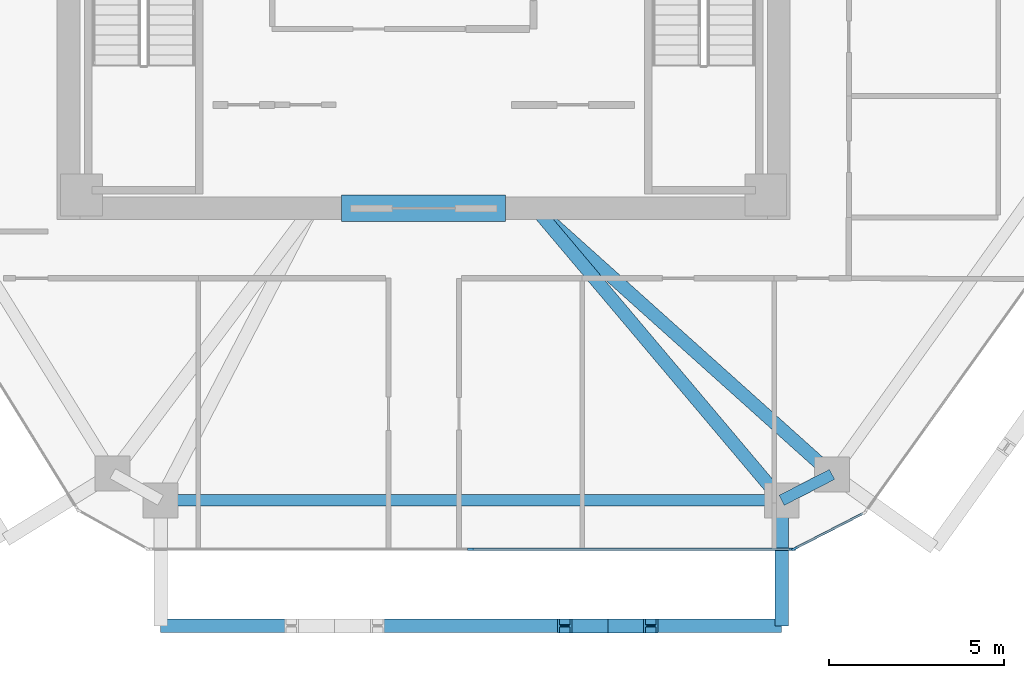
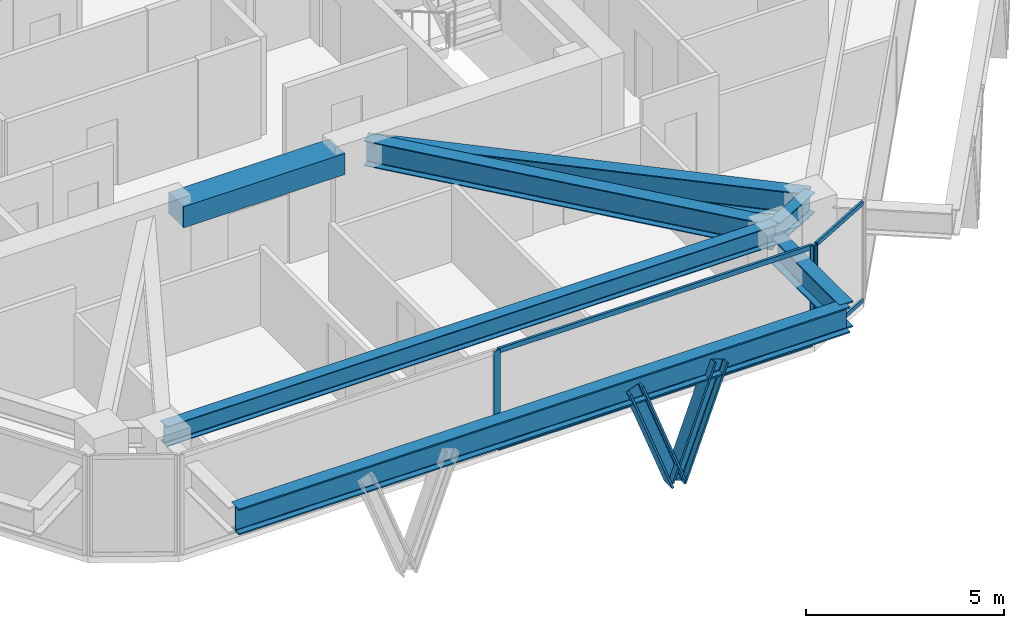
# One storey, part 3 of 11: 9 members, 7 beams, 2 elements without a shape of their own.
"""IFC4 building model written with IfcOpenShell, lengths in metres."""

from ifc_helpers import new_model, si_unit, direction, frame, origin, origin_2d, place, context, subcontext, project, spatial, rectangle, i_section, extrude, source, transform, mapped, material, layer, layer_set, material_profile, profile_set, type_object, type_shapes, element, aggregate, save


model = new_model("IFC4")

# Units and contexts
model_context = context("Model", 3, precision=1e-05, world=origin(), true_north=direction((0.0, 1.0)))
body_context = subcontext(model_context, "Body", "Model", "MODEL_VIEW")
ifc_project = project(units=[si_unit("LENGTHUNIT", "METRE"), si_unit("AREAUNIT", "SQUARE_METRE"), si_unit("VOLUMEUNIT", "CUBIC_METRE"), si_unit("PLANEANGLEUNIT", "RADIAN"), si_unit("MASSUNIT", "GRAM", prefix="KILO")], contexts=[model_context])

# Site, building, storey
site_placement = place(None, origin())
site = spatial("IfcSite", under=ifc_project, at=site_placement, CompositionType="ELEMENT")
building_placement = place(site_placement, origin())
building = spatial("IfcBuilding", under=site, at=building_placement, Name="Durnholm Broadcast Tower", CompositionType="ELEMENT")
storey_placement = place(building_placement, frame((0.0, 0.0, 177.10009765625)))
storey = spatial("IfcBuildingStorey", under=building, at=storey_placement, Name="L48", CompositionType="ELEMENT", Elevation=177.10009765625)

# Beams
ifc_material_1 = material(Name="Concrete C70/85", Category="concrete")
ifc_material_profile_1 = material_profile(ifc_material_1, rectangle(XDim=0.75, YDim=0.64990234375, at=origin_2d()), Name="RC750X650")
ifc_profile_set_1 = profile_set([ifc_material_profile_1], Name="Concrete C70/85")
beam_type_1 = type_object("IfcBeamType", Name="BM-CB-RC650", PredefinedType="LINTEL", material=ifc_profile_set_1)
shared_shape_1 = source(origin(), body_context, "Body", "SweptSolid", [
    extrude(rectangle(XDim=0.75, YDim=0.64990234375, at=origin_2d()), origin(), (0.0, 0.0, 1.0), 4.7001953125),
])
type_shapes(beam_type_1, [shared_shape_1])
beam_1_placement = place(storey_placement, frame((-2.35009765625, -8.175048828125, 2.72998046875), z_axis=(1.0, 0.0, 0.0), x_axis=(0.0, 1.0, 0.0)))
element("IfcBeam", 1, at=beam_1_placement, inside=storey, type_object=beam_type_1, Name="L48 south core coupling lintel beam CB-S", PredefinedType="LINTEL", context=body_context, shape_type="MappedRepresentation", body=[
    mapped(shared_shape_1, transform((0.0, 0.0, 0.0), x_axis=(1.0, 0.0, 0.0), y_axis=(0.0, 1.0, 0.0), z_axis=(0.0, 0.0, 1.0), scale=1.0)),
])
ifc_material_2 = material(Name="Steel ASTM A992 Grade 50", Category="steel")
ifc_material_profile_2 = material_profile(ifc_material_2, i_section(OverallWidth=0.385009765625, OverallDepth=0.802978515625, WebThickness=0.023681640625, FlangeThickness=0.0419921875, FilletRadius=0.032958984375, at=origin_2d()), Name="W30X261")
ifc_profile_set_2 = profile_set([ifc_material_profile_2], Name="Steel ASTM A992 Grade 50")
beam_type_2 = type_object("IfcBeamType", Name="BM-EXO-TIE", PredefinedType="USERDEFINED", material=ifc_profile_set_2)
shared_shape_2 = source(origin(), body_context, "Body", "SweptSolid", [
    extrude(i_section(OverallWidth=0.385009765625, OverallDepth=0.802978515625, WebThickness=0.023681640625, FlangeThickness=0.0419921875, FilletRadius=0.032958984375, at=origin_2d()), origin(), (0.0, 0.0, 1.0), 3.4560546875),
])
beam_2_placement = place(storey_placement, frame((10.256591796875, -16.68603515625, 2.308349609375), z_axis=(0.0, -1.0, 0.0), x_axis=(1.0, 0.0, 0.0)))
element("IfcBeam", 2, at=beam_2_placement, inside=storey, type_object=beam_type_2, Name="L48 exoskeleton stand-off tie bracket F1.2", ObjectType="GIRDER", PredefinedType="USERDEFINED", context=body_context, shape_type="MappedRepresentation", body=[
    mapped(shared_shape_2, transform((0.0, 0.0, 0.0), x_axis=(1.0, 0.0, 0.0), y_axis=(0.0, 1.0, 0.0), z_axis=(0.0, 0.0, 1.0), scale=1.0)),
])
ifc_material_profile_3 = material_profile(ifc_material_2, i_section(OverallWidth=0.3251953125, OverallDepth=0.6162109375, WebThickness=0.013916015625, FlangeThickness=0.021484375, FilletRadius=0.02783203125, at=origin_2d()), Name="W24X117")
ifc_profile_set_3 = profile_set([ifc_material_profile_3], Name="Steel ASTM A992 Grade 50")
beam_type_3 = type_object("IfcBeamType", Name="STL-SP-W24X117", PredefinedType="SPANDREL", material=ifc_profile_set_3)
shared_shape_3 = source(origin(), body_context, "Body", "SweptSolid", [
    extrude(i_section(OverallWidth=0.3251953125, OverallDepth=0.6162109375, WebThickness=0.013916015625, FlangeThickness=0.021484375, FilletRadius=0.02783203125, at=origin_2d()), origin(), (0.0, 0.0, 1.0), 1.62255859375),
])
beam_3_placement = place(storey_placement, frame((11.69970703125, -15.80029296875, 2.73681640625), z_axis=(-0.889406668864, -0.45711680934, 0.0), x_axis=(0.45711680934, -0.889406668864, 0.0)))
element("IfcBeam", 3, at=beam_3_placement, inside=storey, type_object=beam_type_3, Name="L48 perimeter spandrel girder 10", PredefinedType="SPANDREL", context=body_context, shape_type="MappedRepresentation", body=[
    mapped(shared_shape_3, transform((0.0, 0.0, 0.0), x_axis=(1.0, 0.0, 0.0), y_axis=(0.0, 1.0, 0.0), z_axis=(0.0, 0.0, 1.0), scale=1.0)),
])
shared_shape_4 = source(origin(), body_context, "Body", "SweptSolid", [
    extrude(i_section(OverallWidth=0.3251953125, OverallDepth=0.6162109375, WebThickness=0.013916015625, FlangeThickness=0.021484375, FilletRadius=0.02783203125, at=origin_2d()), origin(), (0.0, 0.0, 1.0), 17.796142578125),
])
type_shapes(beam_type_3, [shared_shape_3, shared_shape_4])
beam_4_placement = place(storey_placement, frame((10.256591796875, -16.5419921875, 2.73681640625), z_axis=(-1.0, 0.0, 0.0), x_axis=(0.0, -1.0, 0.0)))
element("IfcBeam", 4, at=beam_4_placement, inside=storey, type_object=beam_type_3, Name="L48 perimeter spandrel girder 11", PredefinedType="SPANDREL", context=body_context, shape_type="MappedRepresentation", body=[
    mapped(shared_shape_4, transform((0.0, 0.0, 0.0), x_axis=(1.0, 0.0, 0.0), y_axis=(0.0, 1.0, 0.0), z_axis=(0.0, 0.0, 1.0), scale=1.0)),
])
shared_shape_5 = source(origin(), body_context, "Body", "SweptSolid", [
    extrude(i_section(OverallWidth=0.385009765625, OverallDepth=0.802978515625, WebThickness=0.023681640625, FlangeThickness=0.0419921875, FilletRadius=0.032958984375, at=origin_2d()), origin(), (0.0, 0.0, 1.0), 17.796142578125),
])
type_shapes(beam_type_2, [shared_shape_2, shared_shape_5])
beam_5_placement = place(storey_placement, frame((-7.53955078125, -20.14208984375, 2.308349609375), z_axis=(1.0, 0.0, 0.0), x_axis=(0.0, 1.0, 0.0)))
element("IfcBeam", 5, at=beam_5_placement, inside=storey, type_object=beam_type_2, Name="L48 exoskeleton collector spandrel F1", PredefinedType="SPANDREL", context=body_context, shape_type="MappedRepresentation", body=[
    mapped(shared_shape_5, transform((0.0, 0.0, 0.0), x_axis=(1.0, 0.0, 0.0), y_axis=(0.0, 1.0, 0.0), z_axis=(0.0, 0.0, 1.0), scale=1.0)),
])
ifc_material_profile_4 = material_profile(ifc_material_2, i_section(OverallWidth=0.380615234375, OverallDepth=0.773193359375, WebThickness=0.0166015625, FlangeThickness=0.027099609375, FilletRadius=0.032958984375, at=origin_2d()), Name="W30X173")
ifc_profile_set_4 = profile_set([ifc_material_profile_4], Name="Steel ASTM A992 Grade 50")
beam_type_4 = type_object("IfcBeamType", Name="STL-GR-W30X173", PredefinedType="USERDEFINED", material=ifc_profile_set_4)
shared_shape_6 = source(origin(), body_context, "Body", "SweptSolid", [
    extrude(i_section(OverallWidth=0.380615234375, OverallDepth=0.773193359375, WebThickness=0.0166015625, FlangeThickness=0.027099609375, FilletRadius=0.032958984375, at=origin_2d()), origin(), (0.0, 0.0, 1.0), 11.4189453125),
])
beam_6_placement = place(storey_placement, frame((3.199951171875, -8.175048828125, 2.658203125), z_axis=(0.744361631918, -0.667776729849, 0.0), x_axis=(0.667776729849, 0.744361631918, 0.0)))
element("IfcBeam", 6, at=beam_6_placement, inside=storey, type_object=beam_type_4, Name="L48 radial primary floor girder 10", ObjectType="GIRDER", PredefinedType="USERDEFINED", context=body_context, shape_type="MappedRepresentation", body=[
    mapped(shared_shape_6, transform((0.0, 0.0, 0.0), x_axis=(1.0, 0.0, 0.0), y_axis=(0.0, 1.0, 0.0), z_axis=(0.0, 0.0, 1.0), scale=1.0)),
])
shared_shape_7 = source(origin(), body_context, "Body", "SweptSolid", [
    extrude(i_section(OverallWidth=0.380615234375, OverallDepth=0.773193359375, WebThickness=0.0166015625, FlangeThickness=0.027099609375, FilletRadius=0.032958984375, at=origin_2d()), origin(), (0.0, 0.0, 1.0), 10.9453125),
])
type_shapes(beam_type_4, [shared_shape_6, shared_shape_7])
beam_7_placement = place(storey_placement, frame((3.199951171875, -8.175048828125, 2.658203125), z_axis=(0.644712536066, -0.764425108065, 0.0), x_axis=(0.764425108065, 0.644712536066, 0.0)))
element("IfcBeam", 7, at=beam_7_placement, inside=storey, type_object=beam_type_4, Name="L48 radial primary floor girder 11", ObjectType="GIRDER", PredefinedType="USERDEFINED", context=body_context, shape_type="MappedRepresentation", body=[
    mapped(shared_shape_7, transform((0.0, 0.0, 0.0), x_axis=(1.0, 0.0, 0.0), y_axis=(0.0, 1.0, 0.0), z_axis=(0.0, 0.0, 1.0), scale=1.0)),
])

# Members
ifc_material_3 = material(Name="Steel ASTM A913 Grade 65", Category="steel")
ifc_material_profile_5 = material_profile(ifc_material_3, i_section(OverallWidth=0.412109375, OverallDepth=0.434814453125, WebThickness=0.035888671875, FlangeThickness=0.057373046875, FilletRadius=0.030517578125, at=origin_2d()), Name="W14X311")
ifc_profile_set_5 = profile_set([ifc_material_profile_5], Name="Steel ASTM A913 Grade 65")
member_type_1 = type_object("IfcMemberType", Name="STL-DG-W14X311", PredefinedType="BRACE", material=ifc_profile_set_5)
shared_shape_8 = source(origin(), body_context, "Body", "SweptSolid", [
    extrude(i_section(OverallWidth=0.412109375, OverallDepth=0.434814453125, WebThickness=0.035888671875, FlangeThickness=0.057373046875, FilletRadius=0.030517578125, at=origin_2d()), origin(), (0.0, 0.0, 1.0), 3.52294921875),
])
type_shapes(member_type_1, [shared_shape_8])
for number, where, z_axis, x_axis, name in (
    (8, (5.273681640625, -20.14208984375, -0.991455078125), (-0.350242321485, 0.0, 0.93665912489), (0.0, -1.0, 0.0), "L48 stand-off diagrid brace F1.D2.1"),
    (9, (5.273681640625, -20.14208984375, -0.991455078125), (0.350242321485, 0.0, 0.93665912489), (0.0, 1.0, 0.0), "L48 stand-off diagrid brace F1.D2.2"),
):
    element("IfcMember", number, at=place(storey_placement, frame(where, z_axis=z_axis, x_axis=x_axis)), inside=storey, type_object=member_type_1, Name=name, PredefinedType="BRACE", context=body_context, shape_type="MappedRepresentation", body=[
        mapped(shared_shape_8, transform((0.0, 0.0, 0.0), x_axis=(1.0, 0.0, 0.0), y_axis=(0.0, 1.0, 0.0), z_axis=(0.0, 0.0, 1.0), scale=1.0)),
    ])

# Curtain wall, members
ifc_material_4 = material(Name="Aluminium and Solar Control IGU", Category="aluminium")
ifc_layer_1 = layer(ifc_material_4, 0.1650390625)
ifc_layer_set_1 = layer_set([ifc_layer_1], Name="Aluminium and Solar Control IGU")
curtain_wall_type_1 = type_object("IfcCurtainWallType", Name="CW-SYS-5", PredefinedType="NOTDEFINED", material=ifc_layer_set_1)
curtain_wall_1_placement = place(storey_placement, origin())
curtain_wall_1 = element("IfcCurtainWall", 10, at=curtain_wall_1_placement, inside=storey, type_object=curtain_wall_type_1, Name="L48 curtain wall CW-CORNER CW-L48-CRN-09", PredefinedType="NOTDEFINED")
ifc_material_5 = material(Name="Aluminium 6063-T6", Category="aluminium")
ifc_material_profile_6 = material_profile(ifc_material_5, rectangle(XDim=0.06494140625, YDim=0.1650390625, at=origin_2d()), Name="CWM65X165")
ifc_profile_set_6 = profile_set([ifc_material_profile_6], Name="Aluminium 6063-T6")
member_type_2 = type_object("IfcMemberType", Name="CW-SYS-5-MUL", PredefinedType="MULLION", material=ifc_profile_set_6)
shared_shape_9 = source(origin(), body_context, "Body", "SweptSolid", [
    extrude(rectangle(XDim=0.06494140625, YDim=0.1650390625, at=origin_2d()), origin(), (0.0, 0.0, 1.0), 3.059814453125),
])
type_shapes(member_type_2, [shared_shape_9])
member_1_placement = place(storey_placement, frame((10.624267578125, -17.92724609375, 0.0), z_axis=(0.0, 0.0, 1.0), x_axis=(0.457081764476, -0.889424679545, 0.0)))
member_1 = element("IfcMember", 11, at=member_1_placement, type_object=member_type_2, Name="CW-CORNER mullion 2", PredefinedType="MULLION", context=body_context, shape_type="MappedRepresentation", body=[
    mapped(shared_shape_9, transform((0.0, 0.0, 0.0), x_axis=(1.0, 0.0, 0.0), y_axis=(0.0, 1.0, 0.0), z_axis=(0.0, 0.0, 1.0), scale=1.0)),
])
ifc_material_profile_7 = material_profile(ifc_material_5, rectangle(XDim=0.06494140625, YDim=0.1298828125, at=origin_2d()), Name="CWT65X130")
ifc_profile_set_7 = profile_set([ifc_material_profile_7], Name="Aluminium 6063-T6")
member_type_3 = type_object("IfcMemberType", Name="CW-SYS-5-TRN", PredefinedType="USERDEFINED", material=ifc_profile_set_7)
shared_shape_10 = source(origin(), body_context, "Body", "SweptSolid", [
    extrude(rectangle(XDim=0.06494140625, YDim=0.1298828125, at=origin_2d()), origin(), (0.0, 0.0, 1.0), 2.170166015625),
])
type_shapes(member_type_3, [shared_shape_10])
member_2_placement = place(storey_placement, frame((12.583251953125, -16.92041015625, 0.032470703125), z_axis=(-0.889422414772, -0.457086171417, 0.0), x_axis=(0.457086171417, -0.889422414772, 0.0)))
member_2 = element("IfcMember", 12, at=member_2_placement, type_object=member_type_3, Name="CW-CORNER transom 1.1", ObjectType="TRANSOM", PredefinedType="USERDEFINED", context=body_context, shape_type="MappedRepresentation", body=[
    mapped(shared_shape_10, transform((0.0, 0.0, 0.0), x_axis=(1.0, 0.0, 0.0), y_axis=(0.0, 1.0, 0.0), z_axis=(0.0, 0.0, 1.0), scale=1.0)),
])
member_3_placement = place(storey_placement, frame((12.583251953125, -16.92041015625, 3.02734375), z_axis=(-0.889422414772, -0.457086171417, 0.0), x_axis=(0.457086171417, -0.889422414772, 0.0)))
member_3 = element("IfcMember", 13, at=member_3_placement, type_object=member_type_3, Name="CW-CORNER transom 1.2", ObjectType="TRANSOM", PredefinedType="USERDEFINED", context=body_context, shape_type="MappedRepresentation", body=[
    mapped(shared_shape_10, transform((0.0, 0.0, 0.0), x_axis=(1.0, 0.0, 0.0), y_axis=(0.0, 1.0, 0.0), z_axis=(0.0, 0.0, 1.0), scale=1.0)),
])
aggregate(curtain_wall_1, [member_1, member_2, member_3])

ifc_layer_2 = layer(ifc_material_4, 0.18994140625)
ifc_layer_set_2 = layer_set([ifc_layer_2], Name="Aluminium and Solar Control IGU")
curtain_wall_type_2 = type_object("IfcCurtainWallType", Name="CW-SYS-4", PredefinedType="NOTDEFINED", material=ifc_layer_set_2)
curtain_wall_2_placement = place(storey_placement, origin())
curtain_wall_2 = element("IfcCurtainWall", 14, at=curtain_wall_2_placement, inside=storey, type_object=curtain_wall_type_2, Name="L48 curtain wall CW-Z34-VIS CW-L48-F10", PredefinedType="NOTDEFINED")
ifc_material_profile_8 = material_profile(ifc_material_5, rectangle(XDim=0.070068359375, YDim=0.14990234375, at=origin_2d()), Name="CWT70X150")
ifc_profile_set_8 = profile_set([ifc_material_profile_8], Name="Aluminium 6063-T6")
member_type_4 = type_object("IfcMemberType", Name="CW-SYS-4-TRN", PredefinedType="USERDEFINED", material=ifc_profile_set_8)
shared_shape_11 = source(origin(), body_context, "Body", "SweptSolid", [
    extrude(rectangle(XDim=0.070068359375, YDim=0.14990234375, at=origin_2d()), origin(), (0.0, 0.0, 1.0), 9.14453125),
])
type_shapes(member_type_4, [shared_shape_11])
member_4_placement = place(storey_placement, frame((10.525390625, -17.94189453125, 0.034912109375), z_axis=(-1.0, 0.0, 0.0), x_axis=(0.0, -1.0, 0.0)))
member_4 = element("IfcMember", 15, at=member_4_placement, type_object=member_type_4, Name="CW-Z34-VIS transom 1.1", ObjectType="TRANSOM", PredefinedType="USERDEFINED", context=body_context, shape_type="MappedRepresentation", body=[
    mapped(shared_shape_11, transform((0.0, 0.0, 0.0), x_axis=(1.0, 0.0, 0.0), y_axis=(0.0, 1.0, 0.0), z_axis=(0.0, 0.0, 1.0), scale=1.0)),
])
member_5_placement = place(storey_placement, frame((10.525390625, -17.94189453125, 3.02490234375), z_axis=(-1.0, 0.0, 0.0), x_axis=(0.0, -1.0, 0.0)))
member_5 = element("IfcMember", 16, at=member_5_placement, type_object=member_type_4, Name="CW-Z34-VIS transom 1.2", ObjectType="TRANSOM", PredefinedType="USERDEFINED", context=body_context, shape_type="MappedRepresentation", body=[
    mapped(shared_shape_11, transform((0.0, 0.0, 0.0), x_axis=(1.0, 0.0, 0.0), y_axis=(0.0, 1.0, 0.0), z_axis=(0.0, 0.0, 1.0), scale=1.0)),
])
ifc_material_profile_9 = material_profile(ifc_material_5, rectangle(XDim=0.070068359375, YDim=0.18994140625, at=origin_2d()), Name="CWM70X190")
ifc_profile_set_9 = profile_set([ifc_material_profile_9], Name="Aluminium 6063-T6")
member_type_5 = type_object("IfcMemberType", Name="CW-SYS-4-MUL", PredefinedType="MULLION", material=ifc_profile_set_9)
shared_shape_12 = source(origin(), body_context, "Body", "SweptSolid", [
    extrude(rectangle(XDim=0.070068359375, YDim=0.18994140625, at=origin_2d()), origin(), (0.0, 0.0, 1.0), 3.059814453125),
])
type_shapes(member_type_5, [shared_shape_12])
member_6_placement = place(storey_placement, frame((10.560302734375, -17.94189453125, 0.0), z_axis=(0.0, 0.0, 1.0), x_axis=(0.0, -1.0, 0.0)))
member_6 = element("IfcMember", 17, at=member_6_placement, type_object=member_type_5, Name="CW-Z34-VIS mullion 1", PredefinedType="MULLION", context=body_context, shape_type="MappedRepresentation", body=[
    mapped(shared_shape_12, transform((0.0, 0.0, 0.0), x_axis=(1.0, 0.0, 0.0), y_axis=(0.0, 1.0, 0.0), z_axis=(0.0, 0.0, 1.0), scale=1.0)),
])
member_7_placement = place(storey_placement, frame((1.345947265625, -17.94189453125, 0.0), z_axis=(0.0, 0.0, 1.0), x_axis=(0.0, -1.0, 0.0)))
member_7 = element("IfcMember", 18, at=member_7_placement, type_object=member_type_5, Name="CW-Z34-VIS mullion 2", PredefinedType="MULLION", context=body_context, shape_type="MappedRepresentation", body=[
    mapped(shared_shape_12, transform((0.0, 0.0, 0.0), x_axis=(1.0, 0.0, 0.0), y_axis=(0.0, 1.0, 0.0), z_axis=(0.0, 0.0, 1.0), scale=1.0)),
])
aggregate(curtain_wall_2, [member_6, member_7, member_4, member_5])

save(model, "model.ifc")
